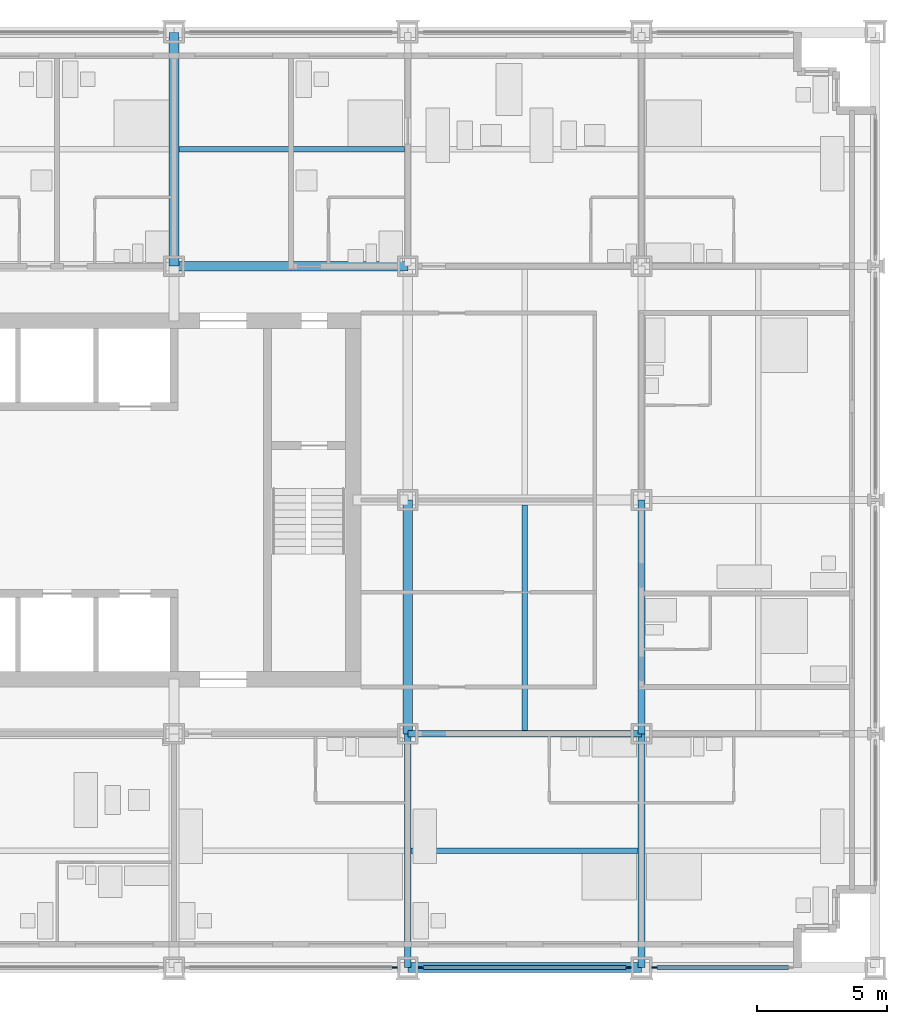
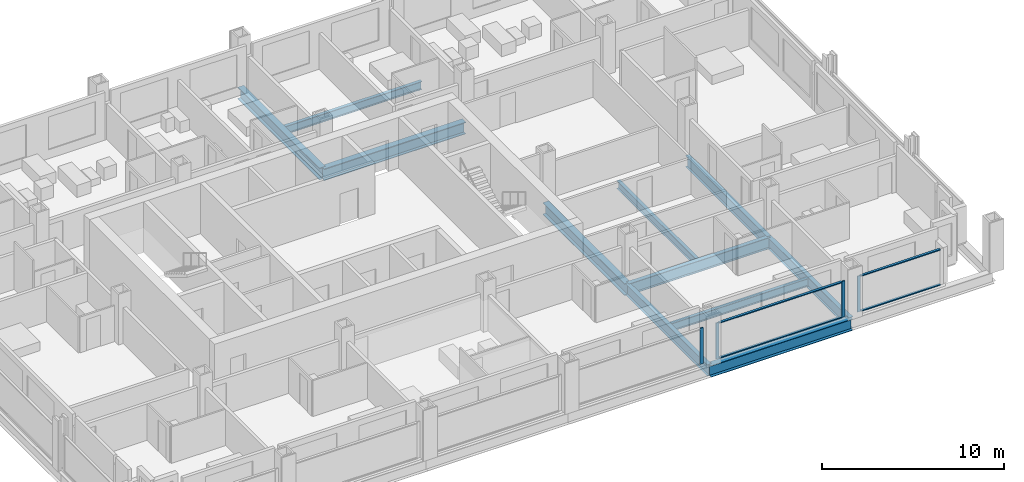
# One storey, part 5 of 18: 11 beams, 8 members, 3 elements without a shape of their own.
"""IFC4 building model written with IfcOpenShell, lengths in metres."""

from ifc_helpers import new_model, si_unit, direction, frame, origin, origin_2d, place, context, subcontext, project, spatial, rectangle, i_section, extrude, material, material_profile, profile_set, type_object, element, aggregate, save


model = new_model("IFC4")

# Units and contexts
model_context = context("Model", 3, precision=1e-05, world=origin(), true_north=direction((0.0, 1.0)))
body_context = subcontext(model_context, "Body", "Model", "MODEL_VIEW")
ifc_project = project(units=[si_unit("LENGTHUNIT", "METRE"), si_unit("AREAUNIT", "SQUARE_METRE"), si_unit("VOLUMEUNIT", "CUBIC_METRE"), si_unit("PLANEANGLEUNIT", "RADIAN"), si_unit("MASSUNIT", "GRAM", prefix="KILO")], contexts=[model_context])

# Site, building, storey
site_placement = place(None, origin())
site = spatial("IfcSite", under=ifc_project, at=site_placement, CompositionType="ELEMENT")
building_placement = place(site_placement, origin())
building = spatial("IfcBuilding", under=site, at=building_placement, Name="Loomwork Tower", CompositionType="ELEMENT")
storey_placement = place(building_placement, frame((0.0, 0.0, 41.60009765625)))
storey = spatial("IfcBuildingStorey", under=building, at=storey_placement, Name="L09", CompositionType="ELEMENT", Elevation=41.60009765625)

# Beams
ifc_material_1 = material(Name="Steel ASTM A992", Category="steel")
ifc_material_profile_1 = material_profile(ifc_material_1, i_section(OverallWidth=0.383544921875, OverallDepth=0.794921875, WebThickness=0.02099609375, FlangeThickness=0.0380859375, at=origin_2d()), Name="W30x235")
ifc_profile_set_1 = profile_set([ifc_material_profile_1], Name="Steel ASTM A992")
beam_type_1 = type_object("IfcBeamType", Name="CORE FLANK GIRDER W30x235", PredefinedType="BEAM", material=ifc_profile_set_1)
for number, where, z_axis, x_axis, name in (
    (1, (27.0, 27.0, -0.59765625), (1.0, 0.0, 0.0), (0.0, 1.0, 0.0), "Core Flank Girder G/5-G/6 L09"),
    (2, (27.0, 27.0, -0.59765625), (0.0, 1.0, 0.0), (-1.0, 0.0, 0.0), "Core Flank Girder G/5-H/5 L09"),
    (3, (36.0, 9.0, -0.59765625), (0.0, 1.0, 0.0), (-1.0, 0.0, 0.0), "Core Flank Girder E/6-F/6 L09"),
):
    element("IfcBeam", number, at=place(storey_placement, frame(where, z_axis=z_axis, x_axis=x_axis)), inside=storey, type_object=beam_type_1, Name=name, PredefinedType="BEAM", context=body_context, shape_type="SweptSolid", body=[
        extrude(i_section(OverallWidth=0.383544921875, OverallDepth=0.794921875, WebThickness=0.02099609375, FlangeThickness=0.0380859375, at=origin_2d()), origin(), (0.0, 0.0, 1.0), 9.0),
    ])
ifc_material_2 = material(Name="Steel ASTM A992", Category="steel")
ifc_material_profile_2 = material_profile(ifc_material_2, i_section(OverallWidth=0.2666015625, OverallDepth=0.761962890625, WebThickness=0.014404296875, FlangeThickness=0.021484375, at=origin_2d()), Name="W30x116")
ifc_profile_set_2 = profile_set([ifc_material_profile_2], Name="Steel ASTM A992")
beam_type_2 = type_object("IfcBeamType", Name="FLOOR GIRDER W30x116", PredefinedType="BEAM", material=ifc_profile_set_2)
for number, where, z_axis, x_axis, name in (
    (4, (36.0, 9.0, -0.5810546875), (1.0, 0.0, 0.0), (0.0, 1.0, 0.0), "Floor Girder E/6-E/7 L09"),
    (5, (36.0, 0.0, -0.5810546875), (0.0, 1.0, 0.0), (-1.0, 0.0, 0.0), "Floor Girder D/6-E/6 L09"),
    (6, (45.0, 0.0, -0.5810546875), (0.0, 1.0, 0.0), (-1.0, 0.0, 0.0), "Floor Girder D/7-E/7 L09"),
    (7, (45.0, 9.0, -0.5810546875), (0.0, 1.0, 0.0), (-1.0, 0.0, 0.0), "Floor Girder E/7-F/7 L09"),
):
    element("IfcBeam", number, at=place(storey_placement, frame(where, z_axis=z_axis, x_axis=x_axis)), inside=storey, type_object=beam_type_2, Name=name, PredefinedType="BEAM", context=body_context, shape_type="SweptSolid", body=[
        extrude(i_section(OverallWidth=0.2666015625, OverallDepth=0.761962890625, WebThickness=0.014404296875, FlangeThickness=0.021484375, at=origin_2d()), origin(), (0.0, 0.0, 1.0), 9.0),
    ])
ifc_material_3 = material(Name="Steel ASTM A992", Category="steel")
ifc_material_profile_3 = material_profile(ifc_material_3, i_section(OverallWidth=0.2109375, OverallDepth=0.53857421875, WebThickness=0.011474609375, FlangeThickness=0.018798828125, at=origin_2d()), Name="W21x73")
ifc_profile_set_3 = profile_set([ifc_material_profile_3], Name="Steel ASTM A992")
beam_type_3 = type_object("IfcBeamType", Name="FLOOR JOIST W21x73", PredefinedType="JOIST", material=ifc_profile_set_3)
beam_1_placement = place(storey_placement, frame((27.19091796875, 31.5, -0.46923828125), z_axis=(1.0, 0.0, 0.0), x_axis=(0.0, 1.0, 0.0)))
element("IfcBeam", 8, at=beam_1_placement, inside=storey, type_object=beam_type_3, Name="Floor Joist 27.000,31.500-36.000,31.500 L09", PredefinedType="JOIST", context=body_context, shape_type="SweptSolid", body=[
    extrude(i_section(OverallWidth=0.2109375, OverallDepth=0.53857421875, WebThickness=0.011474609375, FlangeThickness=0.018798828125, at=origin_2d()), origin(), (0.0, 0.0, 1.0), 8.676025390625),
])
beam_2_placement = place(storey_placement, frame((36.133056640625, 4.5, -0.46923828125), z_axis=(1.0, 0.0, 0.0), x_axis=(0.0, 1.0, 0.0)))
element("IfcBeam", 9, at=beam_2_placement, inside=storey, type_object=beam_type_3, Name="Floor Joist 36.000,4.500-45.000,4.500 L09", PredefinedType="JOIST", context=body_context, shape_type="SweptSolid", body=[
    extrude(i_section(OverallWidth=0.2109375, OverallDepth=0.53857421875, WebThickness=0.011474609375, FlangeThickness=0.018798828125, at=origin_2d()), origin(), (0.0, 0.0, 1.0), 8.73388671875),
])
beam_3_placement = place(storey_placement, frame((40.5, 9.133056640625, -0.46923828125), z_axis=(0.0, 1.0, 0.0), x_axis=(-1.0, 0.0, 0.0)))
element("IfcBeam", 10, at=beam_3_placement, inside=storey, type_object=beam_type_3, Name="Floor Joist 40.500,9.000-40.500,18.000 L09", PredefinedType="JOIST", context=body_context, shape_type="SweptSolid", body=[
    extrude(i_section(OverallWidth=0.2109375, OverallDepth=0.53857421875, WebThickness=0.011474609375, FlangeThickness=0.018798828125, at=origin_2d()), origin(), (0.0, 0.0, 1.0), 8.676025390625),
])

# Curtain wall, member
ifc_material_4 = material(Name="Aluminium curtain wall frame", Category="aluminium")
curtain_wall_type = type_object("IfcCurtainWallType", Name="Outer skin glazing hotel", PredefinedType="NOTDEFINED", material=ifc_material_4)
curtain_wall_1_placement = place(storey_placement, origin())
curtain_wall_1 = element("IfcCurtainWall", 11, at=curtain_wall_1_placement, inside=storey, type_object=curtain_wall_type, Name="Outer skin glazing hotel cw/S-27", PredefinedType="NOTDEFINED")
ifc_material_5 = material(Name="Aluminium curtain wall frame", Category="aluminium")
ifc_material_profile_4 = material_profile(ifc_material_5, rectangle(XDim=0.06494140625, YDim=0.199951171875, at=origin_2d()), Name="AL 65x200")
ifc_profile_set_4 = profile_set([ifc_material_profile_4], Name="Aluminium curtain wall frame")
member_type_1 = type_object("IfcMemberType", Name="Outer skin glazing hotel mullion", PredefinedType="MULLION", material=ifc_profile_set_4)
member_1_placement = place(storey_placement, frame((35.5, 0.0, 0.0), z_axis=(0.0, 0.0, 1.0), x_axis=(0.0, 1.0, 0.0)))
member_1 = element("IfcMember", 12, at=member_1_placement, type_object=member_type_1, Name="CW1 mullion 2", PredefinedType="MULLION", context=body_context, shape_type="SweptSolid", body=[
    extrude(rectangle(XDim=0.06494140625, YDim=0.199951171875, at=origin_2d()), origin(), (0.0, 0.0, 1.0), 2.420166015625),
])
aggregate(curtain_wall_1, [member_1])

# Curtain wall, members
curtain_wall_2_placement = place(storey_placement, origin())
curtain_wall_2 = element("IfcCurtainWall", 13, at=curtain_wall_2_placement, inside=storey, type_object=curtain_wall_type, Name="Outer skin glazing hotel cw/S-36", PredefinedType="NOTDEFINED")
member_2_placement = place(storey_placement, frame((36.5, 0.0, 0.0), z_axis=(0.0, 0.0, 1.0), x_axis=(0.0, 1.0, 0.0)))
member_2 = element("IfcMember", 14, at=member_2_placement, type_object=member_type_1, Name="CW1 mullion 1", PredefinedType="MULLION", context=body_context, shape_type="SweptSolid", body=[
    extrude(rectangle(XDim=0.06494140625, YDim=0.199951171875, at=origin_2d()), origin(), (0.0, 0.0, 1.0), 2.420166015625),
])
member_3_placement = place(storey_placement, frame((44.5, 0.0, 0.0), z_axis=(0.0, 0.0, 1.0), x_axis=(0.0, 1.0, 0.0)))
member_3 = element("IfcMember", 15, at=member_3_placement, type_object=member_type_1, Name="CW1 mullion 2", PredefinedType="MULLION", context=body_context, shape_type="SweptSolid", body=[
    extrude(rectangle(XDim=0.06494140625, YDim=0.199951171875, at=origin_2d()), origin(), (0.0, 0.0, 1.0), 2.420166015625),
])

# Curtain wall, member
curtain_wall_3_placement = place(storey_placement, origin())
curtain_wall_3 = element("IfcCurtainWall", 16, at=curtain_wall_3_placement, inside=storey, type_object=curtain_wall_type, Name="Outer skin glazing hotel cw/S-45", PredefinedType="NOTDEFINED")
member_4_placement = place(storey_placement, frame((45.5, 0.0, 0.0), z_axis=(0.0, 0.0, 1.0), x_axis=(0.0, 1.0, 0.0)))
member_4 = element("IfcMember", 17, at=member_4_placement, type_object=member_type_1, Name="CW1 mullion 1", PredefinedType="MULLION", context=body_context, shape_type="SweptSolid", body=[
    extrude(rectangle(XDim=0.06494140625, YDim=0.199951171875, at=origin_2d()), origin(), (0.0, 0.0, 1.0), 2.420166015625),
])

# Member
ifc_material_6 = material(Name="Aluminium curtain wall frame", Category="aluminium")
ifc_material_profile_5 = material_profile(ifc_material_6, rectangle(XDim=0.14990234375, YDim=0.06494140625, at=origin_2d()), Name="AL 65x150")
ifc_profile_set_5 = profile_set([ifc_material_profile_5], Name="Aluminium curtain wall frame")
member_type_2 = type_object("IfcMemberType", Name="Outer skin glazing hotel transom", PredefinedType="USERDEFINED", material=ifc_profile_set_5)
member_5_placement = place(storey_placement, frame((36.60009765625, 0.0, 0.032470703125), z_axis=(1.0, 0.0, 0.0), x_axis=(0.0, 1.0, 0.0)))
member_5 = element("IfcMember", 18, at=member_5_placement, type_object=member_type_2, Name="CW1 transom 1.1", ObjectType="TRANSOM", PredefinedType="USERDEFINED", context=body_context, shape_type="SweptSolid", body=[
    extrude(rectangle(XDim=0.14990234375, YDim=0.06494140625, at=origin_2d()), origin(), (0.0, 0.0, 1.0), 7.7998046875),
])

member_6_placement = place(storey_placement, frame((36.60009765625, 0.0, 2.3876953125), z_axis=(1.0, 0.0, 0.0), x_axis=(0.0, 1.0, 0.0)))
member_6 = element("IfcMember", 19, at=member_6_placement, type_object=member_type_2, Name="CW1 transom 1.2", ObjectType="TRANSOM", PredefinedType="USERDEFINED", context=body_context, shape_type="SweptSolid", body=[
    extrude(rectangle(XDim=0.14990234375, YDim=0.06494140625, at=origin_2d()), origin(), (0.0, 0.0, 1.0), 7.7998046875),
])

aggregate(curtain_wall_2, [member_2, member_3, member_5, member_6])

member_7_placement = place(storey_placement, frame((45.60009765625, 0.0, 0.032470703125), z_axis=(1.0, 0.0, 0.0), x_axis=(0.0, 1.0, 0.0)))
member_7 = element("IfcMember", 20, at=member_7_placement, type_object=member_type_2, Name="CW1 transom 1.1", ObjectType="TRANSOM", PredefinedType="USERDEFINED", context=body_context, shape_type="SweptSolid", body=[
    extrude(rectangle(XDim=0.14990234375, YDim=0.06494140625, at=origin_2d()), origin(), (0.0, 0.0, 1.0), 5.0498046875),
])

member_8_placement = place(storey_placement, frame((45.60009765625, 0.0, 2.3876953125), z_axis=(1.0, 0.0, 0.0), x_axis=(0.0, 1.0, 0.0)))
member_8 = element("IfcMember", 21, at=member_8_placement, type_object=member_type_2, Name="CW1 transom 1.2", ObjectType="TRANSOM", PredefinedType="USERDEFINED", context=body_context, shape_type="SweptSolid", body=[
    extrude(rectangle(XDim=0.14990234375, YDim=0.06494140625, at=origin_2d()), origin(), (0.0, 0.0, 1.0), 5.0498046875),
])

aggregate(curtain_wall_3, [member_4, member_7, member_8])

# Beam
ifc_material_7 = material(Name="Steel ASTM A992", Category="steel")
ifc_material_profile_6 = material_profile(ifc_material_7, i_section(OverallWidth=0.381103515625, OverallDepth=0.77978515625, WebThickness=0.01806640625, FlangeThickness=0.0302734375, at=origin_2d()), Name="W30x191")
ifc_profile_set_6 = profile_set([ifc_material_profile_6], Name="Steel ASTM A992")
beam_type_4 = type_object("IfcBeamType", Name="SPANDREL GIRDER W30x191", PredefinedType="SPANDREL", material=ifc_profile_set_6)
beam_4_placement = place(storey_placement, frame((36.0, 0.0, -0.590087890625), z_axis=(1.0, 0.0, 0.0), x_axis=(0.0, 1.0, 0.0)))
element("IfcBeam", 22, at=beam_4_placement, inside=storey, type_object=beam_type_4, Name="Spandrel Girder D/6-D/7 L09", PredefinedType="SPANDREL", context=body_context, shape_type="SweptSolid", body=[
    extrude(i_section(OverallWidth=0.381103515625, OverallDepth=0.77978515625, WebThickness=0.01806640625, FlangeThickness=0.0302734375, at=origin_2d()), origin(), (0.0, 0.0, 1.0), 9.0),
])

save(model, "model.ifc")
